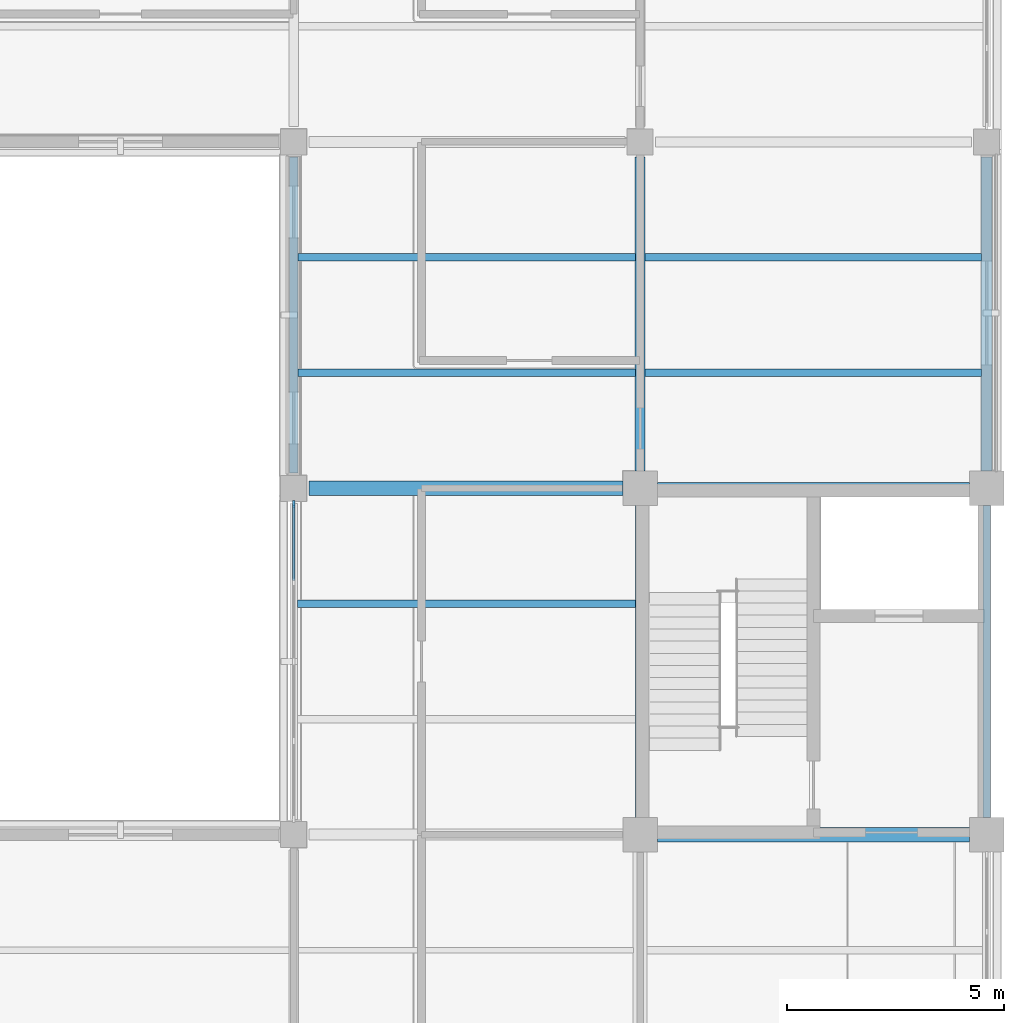
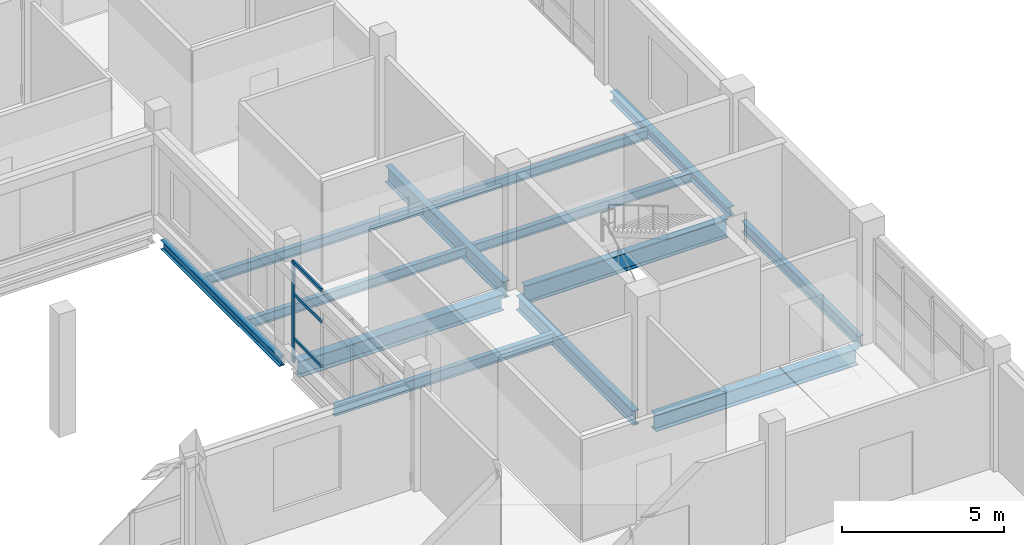
# One storey, part 45 of 121: 13 beams, 4 members, 1 element without a shape of its own.
"""IFC4 building model written with IfcOpenShell, lengths in metres."""

from ifc_helpers import new_model, si_unit, derived_unit, direction, frame, origin, origin_2d, place, context, subcontext, project, spatial, rectangle, i_section, extrude, material, layer, layer_set, material_profile, profile_set, type_object, element, aggregate, save


model = new_model("IFC4")

# Units and contexts
model_context = context("Model", 3, precision=1e-05, world=origin(), true_north=direction((0.0, 1.0)))
body_context = subcontext(model_context, "Body", "Model", "MODEL_VIEW")
ifc_project = project(units=[si_unit("LENGTHUNIT", "METRE"), si_unit("AREAUNIT", "SQUARE_METRE"), si_unit("VOLUMEUNIT", "CUBIC_METRE"), si_unit("PLANEANGLEUNIT", "RADIAN"), si_unit("MASSUNIT", "GRAM", prefix="KILO"), derived_unit("THERMALTRANSMITTANCEUNIT", [(si_unit("MASSUNIT", "GRAM", prefix="KILO"), 1), (si_unit("TIMEUNIT", "SECOND"), -3), (si_unit("THERMODYNAMICTEMPERATUREUNIT", "KELVIN"), -1)])], contexts=[model_context])

# Site, building, storey
site_placement = place(None, origin())
site = spatial("IfcSite", under=ifc_project, at=site_placement, CompositionType="ELEMENT")
building_placement = place(site_placement, origin())
building = spatial("IfcBuilding", under=site, at=building_placement, Name="Veyamyaing Civic Hall", CompositionType="ELEMENT")
storey_placement = place(building_placement, frame((0.0, 0.0, 5.280029296875)))
storey = spatial("IfcBuildingStorey", under=building, at=storey_placement, Name="L01", CompositionType="ELEMENT", Elevation=5.280029296875)

# Beams
ifc_material_1 = material(Name="Steel ASTM A992", Category="steel")
ifc_material_profile_1 = material_profile(ifc_material_1, i_section(OverallWidth=0.256103515625, OverallDepth=0.693115234375, WebThickness=0.014404296875, FlangeThickness=0.023681640625, FilletRadius=0.013916015625, at=origin_2d()), Name="W690X170")
ifc_profile_set_1 = profile_set([ifc_material_profile_1], Name="Steel ASTM A992")
beam_type_1 = type_object("IfcBeamType", Name="B-04", PredefinedType="BEAM", material=ifc_profile_set_1)
beam_1_placement = place(storey_placement, frame((168.39990234375, 24.0, -0.591552734375), z_axis=(1.0, 0.0, 0.0), x_axis=(0.0, 1.0, 0.0)))
element("IfcBeam", 1, at=beam_1_placement, inside=storey, type_object=beam_type_1, Name="Girder B-04 L01 Grid D 22-23", PredefinedType="BEAM", context=body_context, shape_type="SweptSolid", body=[
    extrude(i_section(OverallWidth=0.256103515625, OverallDepth=0.693115234375, WebThickness=0.014404296875, FlangeThickness=0.023681640625, FilletRadius=0.013916015625, at=origin_2d()), origin(), (0.0, 0.0, 1.0), 7.2001953125),
])
ifc_material_profile_2 = material_profile(ifc_material_1, i_section(OverallWidth=0.22998046875, OverallDepth=0.616943359375, WebThickness=0.01318359375, FlangeThickness=0.022216796875, FilletRadius=0.012939453125, at=origin_2d()), Name="W610X140")
ifc_profile_set_2 = profile_set([ifc_material_profile_2], Name="Steel ASTM A992")
beam_type_2 = type_object("IfcBeamType", Name="B-05", PredefinedType="BEAM", material=ifc_profile_set_2)
beam_2_placement = place(storey_placement, frame((168.0, 24.39990234375, -0.553466796875), z_axis=(0.0, 1.0, 0.0), x_axis=(-1.0, 0.0, 0.0)))
element("IfcBeam", 2, at=beam_2_placement, inside=storey, type_object=beam_type_2, Name="Girder B-05 L01 Grid 22 D-E", PredefinedType="BEAM", context=body_context, shape_type="SweptSolid", body=[
    extrude(i_section(OverallWidth=0.22998046875, OverallDepth=0.616943359375, WebThickness=0.01318359375, FlangeThickness=0.022216796875, FilletRadius=0.012939453125, at=origin_2d()), origin(), (0.0, 0.0, 1.0), 7.25),
])
ifc_material_profile_3 = material_profile(ifc_material_1, i_section(OverallWidth=0.2041015625, OverallDepth=0.35009765625, WebThickness=0.0078125, FlangeThickness=0.01513671875, FilletRadius=0.010009765625, at=origin_2d()), Name="W360X72")
ifc_profile_set_3 = profile_set([ifc_material_profile_3], Name="Steel ASTM A992")
beam_type_3 = type_object("IfcBeamType", Name="B-11", PredefinedType="SPANDREL", material=ifc_profile_set_3)
beam_3_placement = place(storey_placement, frame((160.0, 24.35009765625, -0.419921875), z_axis=(0.0, 1.0, 0.0), x_axis=(-1.0, 0.0, 0.0)))
element("IfcBeam", 3, at=beam_3_placement, inside=storey, type_object=beam_type_3, Name="Girder B-11 L01 Grid 21 D-E", PredefinedType="SPANDREL", context=body_context, shape_type="SweptSolid", body=[
    extrude(i_section(OverallWidth=0.2041015625, OverallDepth=0.35009765625, WebThickness=0.0078125, FlangeThickness=0.01513671875, FilletRadius=0.010009765625, at=origin_2d()), origin(), (0.0, 0.0, 1.0), 7.2998046875),
])
ifc_material_profile_4 = material_profile(ifc_material_1, i_section(OverallWidth=0.324951171875, OverallDepth=0.615966796875, WebThickness=0.013916015625, FlangeThickness=0.021484375, FilletRadius=0.013916015625, at=origin_2d()), Name="W610X174")
ifc_profile_set_4 = profile_set([ifc_material_profile_4], Name="Steel ASTM A992")
beam_type_4 = type_object("IfcBeamType", Name="B-15", PredefinedType="BEAM", material=ifc_profile_set_4)
beam_4_placement = place(storey_placement, frame((168.39990234375, 16.0, -0.552978515625), z_axis=(1.0, 0.0, 0.0), x_axis=(0.0, 1.0, 0.0)))
element("IfcBeam", 4, at=beam_4_placement, inside=storey, type_object=beam_type_4, Name="Girder B-15 L01 Grid C 22-23", PredefinedType="BEAM", context=body_context, shape_type="SweptSolid", body=[
    extrude(i_section(OverallWidth=0.324951171875, OverallDepth=0.615966796875, WebThickness=0.013916015625, FlangeThickness=0.021484375, FilletRadius=0.013916015625, at=origin_2d()), origin(), (0.0, 0.0, 1.0), 7.2001953125),
])
beam_5_placement = place(storey_placement, frame((160.35009765625, 24.0, -0.552978515625), z_axis=(1.0, 0.0, 0.0), x_axis=(0.0, 1.0, 0.0)))
element("IfcBeam", 5, at=beam_5_placement, inside=storey, type_object=beam_type_4, Name="Girder B-15 L01 Grid D 21-22", PredefinedType="BEAM", context=body_context, shape_type="SweptSolid", body=[
    extrude(i_section(OverallWidth=0.324951171875, OverallDepth=0.615966796875, WebThickness=0.013916015625, FlangeThickness=0.021484375, FilletRadius=0.013916015625, at=origin_2d()), origin(), (0.0, 0.0, 1.0), 7.25),
])
ifc_material_profile_5 = material_profile(ifc_material_1, i_section(OverallWidth=0.214111328125, OverallDepth=0.549072265625, WebThickness=0.0146484375, FlangeThickness=0.023681640625, FilletRadius=0.011962890625, at=origin_2d()), Name="W530X138")
ifc_profile_set_5 = profile_set([ifc_material_profile_5], Name="Steel ASTM A992")
beam_type_5 = type_object("IfcBeamType", Name="B-16", PredefinedType="BEAM", material=ifc_profile_set_5)
beam_6_placement = place(storey_placement, frame((168.0, 16.39990234375, -0.51953125), z_axis=(0.0, 1.0, 0.0), x_axis=(-1.0, 0.0, 0.0)))
element("IfcBeam", 6, at=beam_6_placement, inside=storey, type_object=beam_type_5, Name="Girder B-16 L01 Grid 22 C-D", PredefinedType="BEAM", context=body_context, shape_type="SweptSolid", body=[
    extrude(i_section(OverallWidth=0.214111328125, OverallDepth=0.549072265625, WebThickness=0.0146484375, FlangeThickness=0.023681640625, FilletRadius=0.011962890625, at=origin_2d()), origin(), (0.0, 0.0, 1.0), 7.2001953125),
])
ifc_material_profile_6 = material_profile(ifc_material_1, i_section(OverallWidth=0.180908203125, OverallDepth=0.4169921875, WebThickness=0.010986328125, FlangeThickness=0.018310546875, FilletRadius=0.010009765625, at=origin_2d()), Name="W410X85")
ifc_profile_set_6 = profile_set([ifc_material_profile_6], Name="Steel ASTM A992")
beam_type_6 = type_object("IfcBeamType", Name="B-19", PredefinedType="SPANDREL", material=ifc_profile_set_6)
beam_7_placement = place(storey_placement, frame((176.0, 16.39990234375, -0.45361328125), z_axis=(0.0, 1.0, 0.0), x_axis=(-1.0, 0.0, 0.0)))
element("IfcBeam", 7, at=beam_7_placement, inside=storey, type_object=beam_type_6, Name="Girder B-19 L01 Grid 23 C-D", PredefinedType="SPANDREL", context=body_context, shape_type="SweptSolid", body=[
    extrude(i_section(OverallWidth=0.180908203125, OverallDepth=0.4169921875, WebThickness=0.010986328125, FlangeThickness=0.018310546875, FilletRadius=0.010009765625, at=origin_2d()), origin(), (0.0, 0.0, 1.0), 7.2001953125),
])
ifc_material_profile_7 = material_profile(ifc_material_1, i_section(OverallWidth=0.25390625, OverallDepth=0.35302734375, WebThickness=0.009521484375, FlangeThickness=0.016357421875, FilletRadius=0.011962890625, at=origin_2d()), Name="W360X91")
ifc_profile_set_7 = profile_set([ifc_material_profile_7], Name="Steel ASTM A992")
beam_type_7 = type_object("IfcBeamType", Name="B-20", PredefinedType="SPANDREL", material=ifc_profile_set_7)
beam_8_placement = place(storey_placement, frame((176.0, 24.39990234375, -0.421630859375), z_axis=(0.0, 1.0, 0.0), x_axis=(-1.0, 0.0, 0.0)))
element("IfcBeam", 8, at=beam_8_placement, inside=storey, type_object=beam_type_7, Name="Girder B-20 L01 Grid 23 D-E", PredefinedType="SPANDREL", context=body_context, shape_type="SweptSolid", body=[
    extrude(i_section(OverallWidth=0.25390625, OverallDepth=0.35302734375, WebThickness=0.009521484375, FlangeThickness=0.016357421875, FilletRadius=0.011962890625, at=origin_2d()), origin(), (0.0, 0.0, 1.0), 7.25),
])

# Curtain wall, members
ifc_material_2 = material(Name="Anodised aluminium 6063-T6", Category="aluminium")
ifc_layer = layer(ifc_material_2, 0.159912109375, Name="Anodised aluminium 6063-T6")
ifc_layer_set = layer_set([ifc_layer], Name="Anodised aluminium 6063-T6")
curtain_wall_type = type_object("IfcCurtainWallType", Name="CW-02", PredefinedType="NOTDEFINED", material=ifc_layer_set)
curtain_wall_placement = place(storey_placement, origin())
curtain_wall = element("IfcCurtainWall", 9, at=curtain_wall_placement, inside=storey, type_object=curtain_wall_type, Name="Unitized curtain wall CW-02 L01 W 21.3", PredefinedType="NOTDEFINED")
ifc_material_profile_8 = material_profile(ifc_material_2, rectangle(XDim=0.06494140625, YDim=0.159912109375, at=origin_2d()), Name="ALU-MUL-65X160")
ifc_profile_set_8 = profile_set([ifc_material_profile_8], Name="Anodised aluminium 6063-T6")
member_type_1 = type_object("IfcMemberType", Name="CWM-01", PredefinedType="MULLION", material=ifc_profile_set_8)
member_1_placement = place(storey_placement, frame((160.0, 23.637451171875, 0.0), z_axis=(0.0, 0.0, 1.0), x_axis=(-1.0, 0.0, 0.0)))
member_1 = element("IfcMember", 10, at=member_1_placement, type_object=member_type_1, Name="CW-02 mullion 5", PredefinedType="MULLION", context=body_context, shape_type="SweptSolid", body=[
    extrude(rectangle(XDim=0.06494140625, YDim=0.159912109375, at=origin_2d()), origin(), (0.0, 0.0, 1.0), 3.7880859375),
])
ifc_material_profile_9 = material_profile(ifc_material_2, rectangle(XDim=0.06494140625, YDim=0.1201171875, at=origin_2d()), Name="ALU-TRN-65X120")
ifc_profile_set_9 = profile_set([ifc_material_profile_9], Name="Anodised aluminium 6063-T6")
member_type_2 = type_object("IfcMemberType", Name="CWT-01", PredefinedType="USERDEFINED", material=ifc_profile_set_9)
member_2_placement = place(storey_placement, frame((160.0, 21.867431640625, 0.89990234375), z_axis=(0.0, 1.0, 0.0), x_axis=(-1.0, 0.0, 0.0)))
member_2 = element("IfcMember", 11, at=member_2_placement, type_object=member_type_2, Name="CW-02 transom 4.2", ObjectType="TRANSOM", PredefinedType="USERDEFINED", context=body_context, shape_type="SweptSolid", body=[
    extrude(rectangle(XDim=0.06494140625, YDim=0.1201171875, at=origin_2d()), origin(), (0.0, 0.0, 1.0), 1.737548828125),
])
member_3_placement = place(storey_placement, frame((160.0, 21.867431640625, 2.57568359375), z_axis=(0.0, 1.0, 0.0), x_axis=(-1.0, 0.0, 0.0)))
member_3 = element("IfcMember", 12, at=member_3_placement, type_object=member_type_2, Name="CW-02 transom 4.3", ObjectType="TRANSOM", PredefinedType="USERDEFINED", context=body_context, shape_type="SweptSolid", body=[
    extrude(rectangle(XDim=0.06494140625, YDim=0.1201171875, at=origin_2d()), origin(), (0.0, 0.0, 1.0), 1.737548828125),
])
member_4_placement = place(storey_placement, frame((160.0, 21.867431640625, 3.75537109375), z_axis=(0.0, 1.0, 0.0), x_axis=(-1.0, 0.0, 0.0)))
member_4 = element("IfcMember", 13, at=member_4_placement, type_object=member_type_2, Name="CW-02 transom 4.4", ObjectType="TRANSOM", PredefinedType="USERDEFINED", context=body_context, shape_type="SweptSolid", body=[
    extrude(rectangle(XDim=0.06494140625, YDim=0.1201171875, at=origin_2d()), origin(), (0.0, 0.0, 1.0), 1.737548828125),
])
aggregate(curtain_wall, [member_1, member_2, member_3, member_4])

# Beams
ifc_material_profile_10 = material_profile(ifc_material_1, i_section(OverallWidth=0.177978515625, OverallDepth=0.406982421875, WebThickness=0.0078125, FlangeThickness=0.0126953125, FilletRadius=0.010009765625, at=origin_2d()), Name="W410X60")
ifc_profile_set_10 = profile_set([ifc_material_profile_10], Name="Steel ASTM A992")
beam_type_8 = type_object("IfcBeamType", Name="J-01", PredefinedType="JOIST", material=ifc_profile_set_10)
beam_9_placement = place(storey_placement, frame((160.087890625, 21.333251953125, -0.448486328125), z_axis=(1.0, 0.0, 0.0), x_axis=(0.0, 1.0, 0.0)))
element("IfcBeam", 14, at=beam_9_placement, inside=storey, type_object=beam_type_8, Name="Composite floor joist J-01 L01 21.3.2", PredefinedType="JOIST", context=body_context, shape_type="SweptSolid", body=[
    extrude(i_section(OverallWidth=0.177978515625, OverallDepth=0.406982421875, WebThickness=0.0078125, FlangeThickness=0.0126953125, FilletRadius=0.010009765625, at=origin_2d()), origin(), (0.0, 0.0, 1.0), 7.80712890625),
])
ifc_material_profile_11 = material_profile(ifc_material_1, i_section(OverallWidth=0.172119140625, OverallDepth=0.35791015625, WebThickness=0.0078125, FlangeThickness=0.01318359375, FilletRadius=0.010009765625, at=origin_2d()), Name="W360X57")
ifc_profile_set_11 = profile_set([ifc_material_profile_11], Name="Steel ASTM A992")
beam_type_9 = type_object("IfcBeamType", Name="J-02", PredefinedType="JOIST", material=ifc_profile_set_11)
for number, where, z_axis, x_axis, name in (
    (15, (160.10009765625, 26.666748046875, -0.424072265625), (1.0, 0.0, 0.0), (0.0, 1.0, 0.0), "Composite floor joist J-02 L01 21.4.1"),
    (16, (160.10009765625, 29.333251953125, -0.424072265625), (1.0, 0.0, 0.0), (0.0, 1.0, 0.0), "Composite floor joist J-02 L01 21.4.2"),
):
    element("IfcBeam", number, at=place(storey_placement, frame(where, z_axis=z_axis, x_axis=x_axis)), inside=storey, type_object=beam_type_9, Name=name, PredefinedType="JOIST", context=body_context, shape_type="SweptSolid", body=[
        extrude(i_section(OverallWidth=0.172119140625, OverallDepth=0.35791015625, WebThickness=0.0078125, FlangeThickness=0.01318359375, FilletRadius=0.010009765625, at=origin_2d()), origin(), (0.0, 0.0, 1.0), 7.786865234375),
    ])
ifc_material_profile_12 = material_profile(ifc_material_1, i_section(OverallWidth=0.1708984375, OverallDepth=0.35205078125, WebThickness=0.0068359375, FlangeThickness=0.009765625, FilletRadius=0.010009765625, at=origin_2d()), Name="W360X44")
ifc_profile_set_12 = profile_set([ifc_material_profile_12], Name="Steel ASTM A992")
beam_type_10 = type_object("IfcBeamType", Name="J-03", PredefinedType="JOIST", material=ifc_profile_set_12)
for number, where, z_axis, x_axis, name in (
    (17, (168.113037109375, 26.666748046875, -0.421142578125), (1.0, 0.0, 0.0), (0.0, 1.0, 0.0), "Composite floor joist J-03 L01 22.4.1"),
    (18, (168.113037109375, 29.333251953125, -0.421142578125), (1.0, 0.0, 0.0), (0.0, 1.0, 0.0), "Composite floor joist J-03 L01 22.4.2"),
):
    element("IfcBeam", number, at=place(storey_placement, frame(where, z_axis=z_axis, x_axis=x_axis)), inside=storey, type_object=beam_type_10, Name=name, PredefinedType="JOIST", context=body_context, shape_type="SweptSolid", body=[
        extrude(i_section(OverallWidth=0.1708984375, OverallDepth=0.35205078125, WebThickness=0.0068359375, FlangeThickness=0.009765625, FilletRadius=0.010009765625, at=origin_2d()), origin(), (0.0, 0.0, 1.0), 7.761962890625),
    ])

save(model, "model.ifc")
